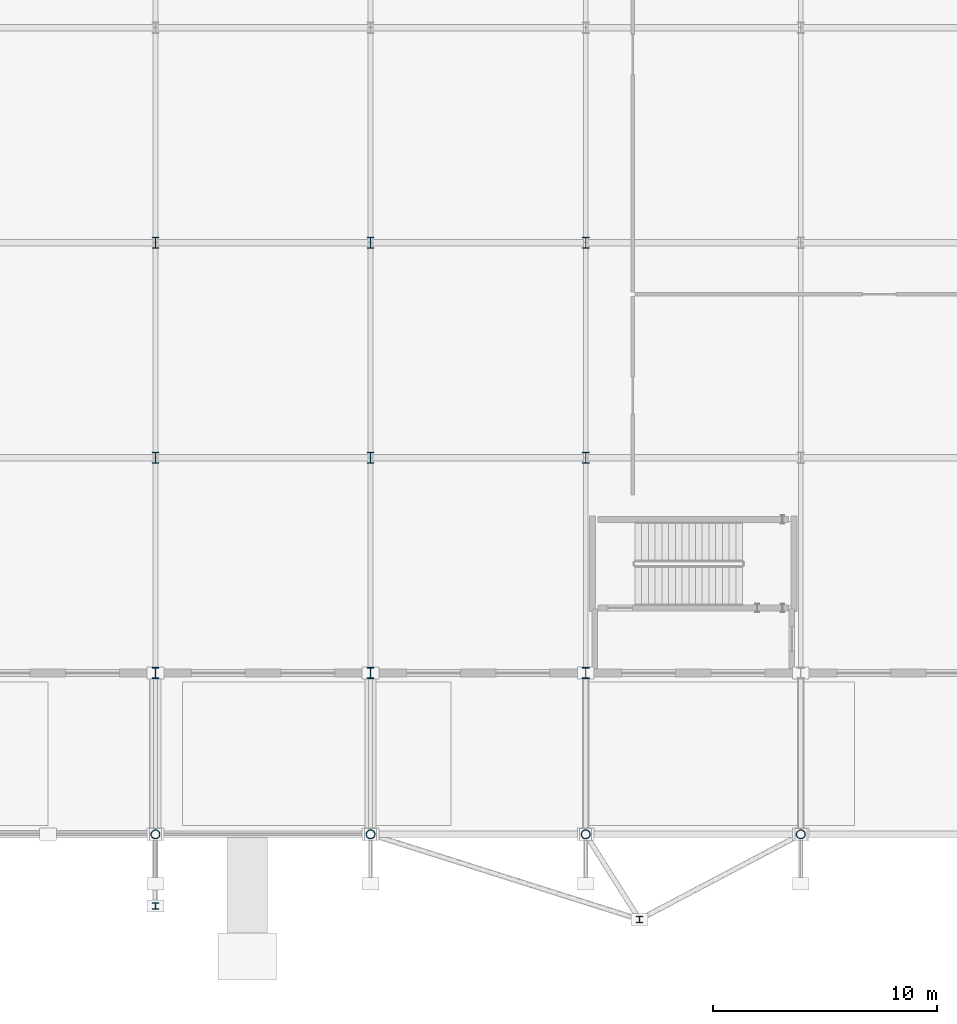
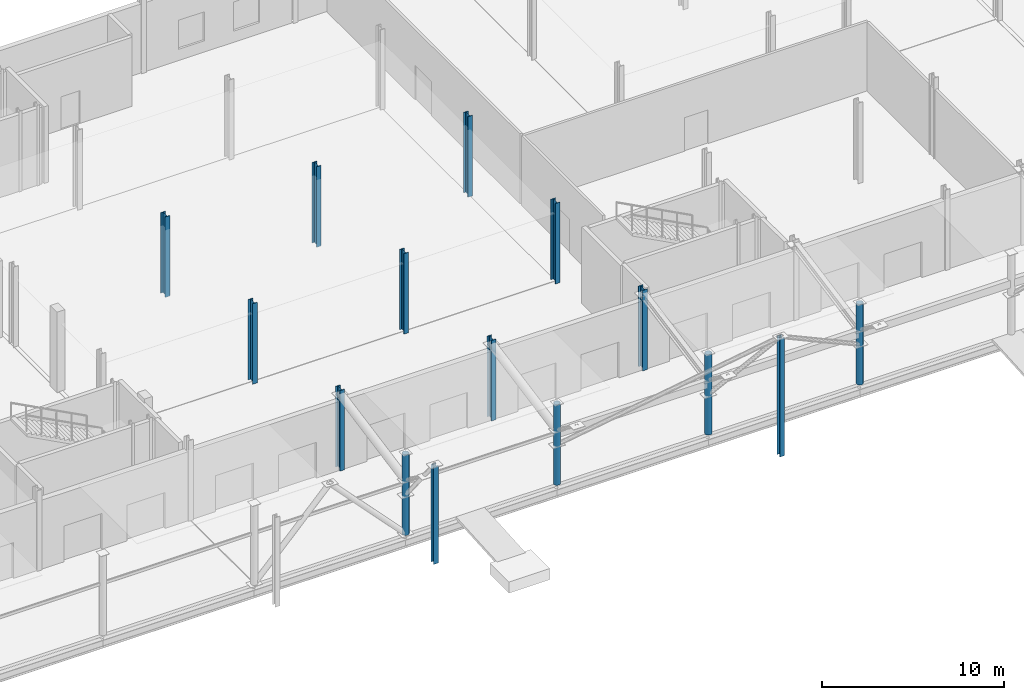
# One storey, part 5 of 84: 15 columns.
"""IFC4 building model written with IfcOpenShell, lengths in metres."""

from ifc_helpers import new_model, si_unit, direction, frame, origin, origin_2d, place, context, subcontext, project, spatial, hollow_circle, i_section, extrude, material, material_profile, profile_set, type_object, element, save


model = new_model("IFC4")

# Units and contexts
model_context = context("Model", 3, precision=1e-05, world=origin(), true_north=direction((0.0, 1.0)))
body_context = subcontext(model_context, "Body", "Model", "MODEL_VIEW")
ifc_project = project(units=[si_unit("LENGTHUNIT", "METRE"), si_unit("AREAUNIT", "SQUARE_METRE"), si_unit("VOLUMEUNIT", "CUBIC_METRE"), si_unit("PLANEANGLEUNIT", "RADIAN"), si_unit("MASSUNIT", "GRAM", prefix="KILO")], contexts=[model_context])

# Site, building, storey
site_placement = place(None, origin())
site = spatial("IfcSite", under=ifc_project, at=site_placement, CompositionType="ELEMENT")
building_placement = place(site_placement, origin())
building = spatial("IfcBuilding", under=site, at=building_placement, Name="Zevrakil Square Congress Hotel", CompositionType="ELEMENT")
storey_placement = place(building_placement, origin())
storey = spatial("IfcBuildingStorey", under=building, at=storey_placement, Name="L01", CompositionType="ELEMENT", Elevation=0.0)

# Columns
ifc_material_1 = material(Name="Steel S355", Category="steel")
ifc_material_profile_1 = material_profile(ifc_material_1, hollow_circle(Radius=0.203125, WallThickness=0.02001953125, at=origin_2d()), Name="CHS 406.4x20")
ifc_profile_set_1 = profile_set([ifc_material_profile_1], Name="Steel S355")
column_type_1 = type_object("IfcColumnType", Name="COL-CHS406", PredefinedType="COLUMN", material=ifc_profile_set_1)
for number, where, z_axis, x_axis, name in (
    (1, (64.800048828125, 0.0, 0.0), (0.0, 0.0, 1.0), (1.0, 0.0, 0.0), "L01 column C-099"),
    (2, (74.39990234375, 0.0, 0.0), (0.0, 0.0, 1.0), (1.0, 0.0, 0.0), "L01 column C-113"),
    (3, (84.0, 0.0, 0.0), (0.0, 0.0, 1.0), (1.0, 0.0, 0.0), "L01 column C-125"),
    (4, (93.60009765625, 0.0, 0.0), (0.0, 0.0, 1.0), (1.0, 0.0, 0.0), "L01 column C-137"),
):
    element("IfcColumn", number, at=place(storey_placement, frame(where, z_axis=z_axis, x_axis=x_axis)), inside=storey, type_object=column_type_1, Name=name, PredefinedType="COLUMN", context=body_context, shape_type="SweptSolid", body=[
        extrude(hollow_circle(Radius=0.203125, WallThickness=0.02001953125, at=origin_2d()), origin(), (0.0, 0.0, 1.0), 5.39990234375),
    ])
ifc_material_2 = material(Name="Steel S355", Category="steel")
ifc_material_profile_2 = material_profile(ifc_material_2, i_section(OverallWidth=0.300048828125, OverallDepth=0.300048828125, WebThickness=0.010986328125, FlangeThickness=0.01904296875, FilletRadius=0.027099609375, at=origin_2d()), Name="HEB 300")
ifc_profile_set_2 = profile_set([ifc_material_profile_2], Name="Steel S355")
column_type_2 = type_object("IfcColumnType", Name="COL-HEB300", PredefinedType="COLUMN", material=ifc_profile_set_2)
column_1_placement = place(storey_placement, frame((64.800048828125, -3.199951171875, 0.0), z_axis=(0.0, 0.0, 1.0), x_axis=(1.0, 0.0, 0.0)))
element("IfcColumn", 5, at=column_1_placement, inside=storey, type_object=column_type_2, Name="L01 south entrance canopy column CPC-02", PredefinedType="COLUMN", context=body_context, shape_type="SweptSolid", body=[
    extrude(i_section(OverallWidth=0.300048828125, OverallDepth=0.300048828125, WebThickness=0.010986328125, FlangeThickness=0.01904296875, FilletRadius=0.027099609375, at=origin_2d()), origin(), (0.0, 0.0, 1.0), 6.550048828125),
])
column_2_placement = place(storey_placement, frame((86.39990234375, -3.800048828125, 0.0), z_axis=(0.0, 0.0, 1.0), x_axis=(1.0, 0.0, 0.0)))
element("IfcColumn", 6, at=column_2_placement, inside=storey, type_object=column_type_2, Name="L01 south entrance canopy column CPC-03", PredefinedType="COLUMN", context=body_context, shape_type="SweptSolid", body=[
    extrude(i_section(OverallWidth=0.300048828125, OverallDepth=0.300048828125, WebThickness=0.010986328125, FlangeThickness=0.01904296875, FilletRadius=0.027099609375, at=origin_2d()), origin(), (0.0, 0.0, 1.0), 7.949951171875),
])
ifc_material_3 = material(Name="Steel S355", Category="steel")
ifc_material_profile_3 = material_profile(ifc_material_3, i_section(OverallWidth=0.300048828125, OverallDepth=0.5, WebThickness=0.014404296875, FlangeThickness=0.028076171875, FilletRadius=0.027099609375, at=origin_2d()), Name="HEB 500")
ifc_profile_set_3 = profile_set([ifc_material_profile_3], Name="Steel S355")
column_type_3 = type_object("IfcColumnType", Name="COL-HEB500", PredefinedType="COLUMN", material=ifc_profile_set_3)
for number, where, z_axis, x_axis, name in (
    (7, (64.800048828125, 7.199951171875, 0.0), (0.0, 0.0, 1.0), (1.0, 0.0, 0.0), "L01 column C-100"),
    (8, (64.800048828125, 16.800048828125, 0.0), (0.0, 0.0, 1.0), (1.0, 0.0, 0.0), "L01 column C-101"),
    (9, (64.800048828125, 26.39990234375, 0.0), (0.0, 0.0, 1.0), (1.0, 0.0, 0.0), "L01 column C-102"),
    (10, (74.39990234375, 7.199951171875, 0.0), (0.0, 0.0, 1.0), (1.0, 0.0, 0.0), "L01 column C-114"),
    (11, (74.39990234375, 16.800048828125, 0.0), (0.0, 0.0, 1.0), (1.0, 0.0, 0.0), "L01 column C-115"),
    (12, (74.39990234375, 26.39990234375, 0.0), (0.0, 0.0, 1.0), (1.0, 0.0, 0.0), "L01 column C-116"),
    (13, (84.0, 7.199951171875, 0.0), (0.0, 0.0, 1.0), (1.0, 0.0, 0.0), "L01 column C-126"),
    (14, (84.0, 16.800048828125, 0.0), (0.0, 0.0, 1.0), (1.0, 0.0, 0.0), "L01 column C-127"),
    (15, (84.0, 26.39990234375, 0.0), (0.0, 0.0, 1.0), (1.0, 0.0, 0.0), "L01 column C-128"),
):
    element("IfcColumn", number, at=place(storey_placement, frame(where, z_axis=z_axis, x_axis=x_axis)), inside=storey, type_object=column_type_3, Name=name, PredefinedType="COLUMN", context=body_context, shape_type="SweptSolid", body=[
        extrude(i_section(OverallWidth=0.300048828125, OverallDepth=0.5, WebThickness=0.014404296875, FlangeThickness=0.028076171875, FilletRadius=0.027099609375, at=origin_2d()), origin(), (0.0, 0.0, 1.0), 5.39990234375),
    ])

save(model, "model.ifc")
